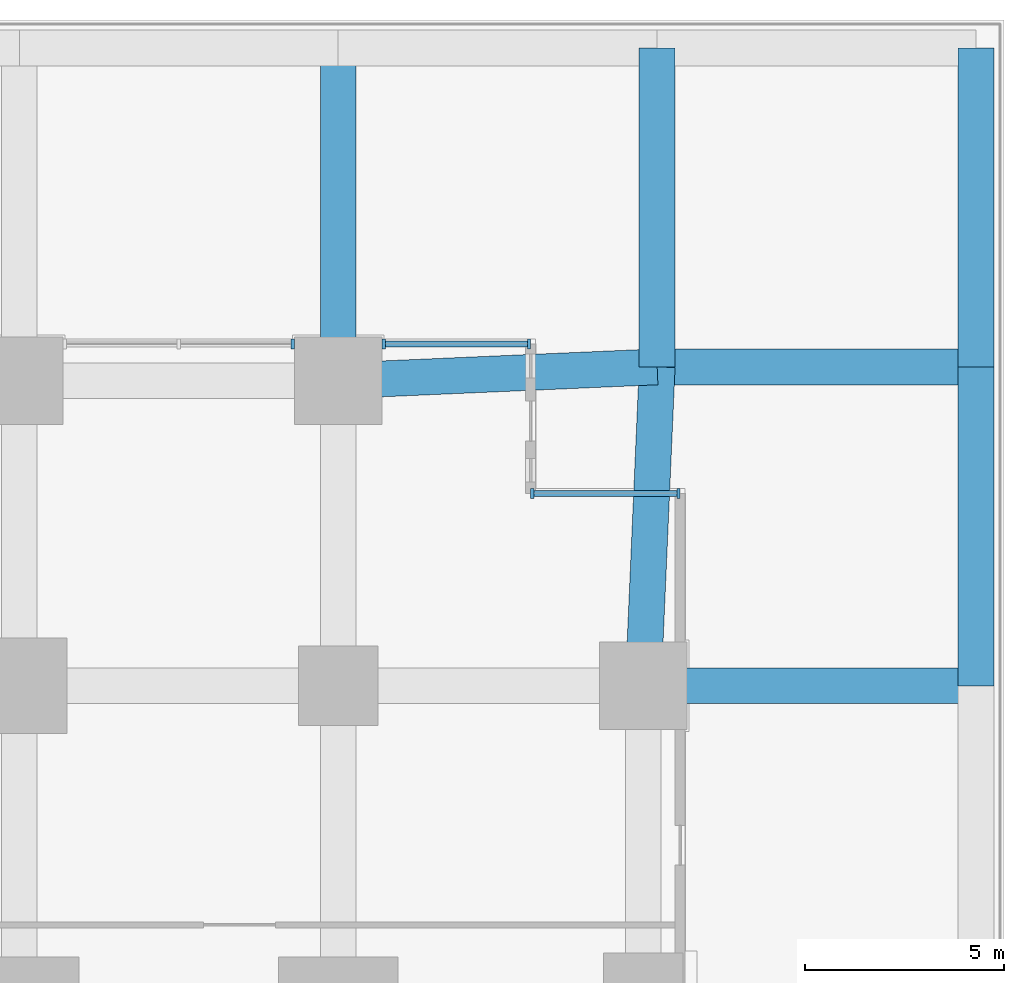
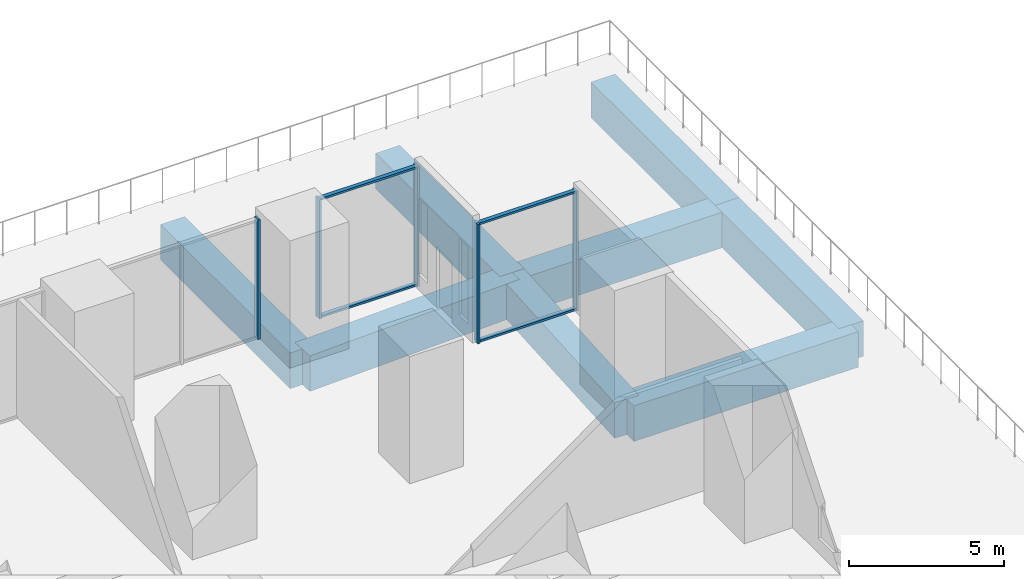
# One storey, part 5 of 16: 9 members, 8 beams, 3 elements without a shape of their own.
"""IFC4 building model written with IfcOpenShell, lengths in metres."""

from ifc_helpers import new_model, si_unit, direction, frame, origin, origin_2d, place, context, subcontext, project, spatial, rectangle, extrude, material, layer, layer_set, material_profile, profile_set, type_object, element, aggregate, save


model = new_model("IFC4")

# Units and contexts
model_context = context("Model", 3, precision=1e-05, world=origin(), true_north=direction((0.0, 1.0)))
body_context = subcontext(model_context, "Body", "Model", "MODEL_VIEW")
ifc_project = project(units=[si_unit("LENGTHUNIT", "METRE"), si_unit("AREAUNIT", "SQUARE_METRE"), si_unit("VOLUMEUNIT", "CUBIC_METRE"), si_unit("PLANEANGLEUNIT", "RADIAN"), si_unit("MASSUNIT", "GRAM", prefix="KILO")], contexts=[model_context])

# Site, building, storey
site_placement = place(None, origin())
site = spatial("IfcSite", under=ifc_project, at=site_placement, CompositionType="ELEMENT")
building_placement = place(site_placement, origin())
building = spatial("IfcBuilding", under=site, at=building_placement, Name="Cleftline Residences", CompositionType="ELEMENT")
storey_placement = place(building_placement, frame((0.0, 0.0, 16.0)))
storey = spatial("IfcBuildingStorey", under=building, at=storey_placement, Name="L03", CompositionType="ELEMENT", Elevation=16.0)

# Beams
ifc_material_1 = material(Name="Concrete B45", Category="concrete")
ifc_material_profile_1 = material_profile(ifc_material_1, rectangle(XDim=0.89990234375, YDim=1.39990234375, at=origin_2d()))
ifc_profile_set_1 = profile_set([ifc_material_profile_1], Name="Concrete B45")
beam_type = type_object("IfcBeamType", Name="BEAM RC900X1400", PredefinedType="BEAM", material=ifc_profile_set_1)
beam_1_placement = place(storey_placement, frame((65.64990234375, 40.0, -1.0), z_axis=(1.0, 0.0, 0.0), x_axis=(0.0, 1.0, 0.0)))
element("IfcBeam", 1, at=beam_1_placement, inside=storey, type_object=beam_type, Name="Podium beam", PredefinedType="BEAM", context=body_context, shape_type="SweptSolid", body=[
    extrude(rectangle(XDim=0.89990234375, YDim=1.39990234375, at=origin_2d()), origin(), (0.0, 0.0, 1.0), 8.35009765625),
])
beam_2_placement = place(storey_placement, frame((58.0, 47.64990234375, -1.0), z_axis=(0.999043807824, 0.043720361951, 0.0), x_axis=(-0.043720361951, 0.999043807824, 0.0)))
element("IfcBeam", 2, at=beam_2_placement, inside=storey, type_object=beam_type, Name="Podium beam", PredefinedType="BEAM", context=body_context, shape_type="SweptSolid", body=[
    extrude(rectangle(XDim=0.89990234375, YDim=1.39990234375, at=origin_2d()), origin(), (0.0, 0.0, 1.0), 8.007568359375),
])
beam_3_placement = place(storey_placement, frame((66.0, 48.0, -1.0), z_axis=(1.0, 0.0, 0.0), x_axis=(0.0, 1.0, 0.0)))
element("IfcBeam", 3, at=beam_3_placement, inside=storey, type_object=beam_type, Name="Podium beam", PredefinedType="BEAM", context=body_context, shape_type="SweptSolid", body=[
    extrude(rectangle(XDim=0.89990234375, YDim=1.39990234375, at=origin_2d()), origin(), (0.0, 0.0, 1.0), 8.0),
])
beam_4_placement = place(storey_placement, frame((58.0, 47.64990234375, -1.0), z_axis=(0.0, 1.0, 0.0), x_axis=(-1.0, 0.0, 0.0)))
element("IfcBeam", 4, at=beam_4_placement, inside=storey, type_object=beam_type, Name="Podium beam", PredefinedType="BEAM", context=body_context, shape_type="SweptSolid", body=[
    extrude(rectangle(XDim=0.89990234375, YDim=1.39990234375, at=origin_2d()), origin(), (0.0, 0.0, 1.0), 8.35009765625),
])
beam_5_placement = place(storey_placement, frame((65.64990234375, 40.0, -1.0), z_axis=(0.043720361951, 0.999043807824, 0.0), x_axis=(-0.999043807824, 0.043720361951, 0.0)))
element("IfcBeam", 5, at=beam_5_placement, inside=storey, type_object=beam_type, Name="Podium beam", PredefinedType="BEAM", context=body_context, shape_type="SweptSolid", body=[
    extrude(rectangle(XDim=0.89990234375, YDim=1.39990234375, at=origin_2d()), origin(), (0.0, 0.0, 1.0), 8.007568359375),
])
for number, where, z_axis, x_axis, name in (
    (6, (66.0, 48.0, -1.0), (0.0, 1.0, 0.0), (-1.0, 0.0, 0.0), "Podium beam"),
    (7, (74.0, 40.0, -1.0), (0.0, 1.0, 0.0), (-1.0, 0.0, 0.0), "Podium beam"),
    (8, (74.0, 48.0, -1.0), (0.0, 1.0, 0.0), (-1.0, 0.0, 0.0), "Podium beam"),
):
    element("IfcBeam", number, at=place(storey_placement, frame(where, z_axis=z_axis, x_axis=x_axis)), inside=storey, type_object=beam_type, Name=name, PredefinedType="BEAM", context=body_context, shape_type="SweptSolid", body=[
        extrude(rectangle(XDim=0.89990234375, YDim=1.39990234375, at=origin_2d()), origin(), (0.0, 0.0, 1.0), 8.0),
    ])

# Curtain wall, members
ifc_material_2 = material(Name="Aluminium framed curtain wall", Category="aluminium")
ifc_layer = layer(ifc_material_2, 0.199951171875)
ifc_layer_set = layer_set([ifc_layer], Name="CW2 PODIUM GLAZING")
curtain_wall_type = type_object("IfcCurtainWallType", Name="CW2 PODIUM GLAZING", PredefinedType="NOTDEFINED", material=ifc_layer_set)
curtain_wall_1_placement = place(storey_placement, origin())
curtain_wall_1 = element("IfcCurtainWall", 9, at=curtain_wall_1_placement, inside=storey, type_object=curtain_wall_type, Name="Curtain wall CW2", PredefinedType="NOTDEFINED")
ifc_material_3 = material(Name="Aluminium mullion", Category="aluminium")
ifc_material_profile_2 = material_profile(ifc_material_3, rectangle(XDim=0.25, YDim=0.080078125, at=origin_2d()))
ifc_profile_set_2 = profile_set([ifc_material_profile_2], Name="Aluminium mullion")
member_type_1 = type_object("IfcMemberType", Name="CW2 MULLION", PredefinedType="MULLION", material=ifc_profile_set_2)
member_1_placement = place(storey_placement, frame((66.534912109375, 44.824951171875, 0.0), z_axis=(0.0, 0.0, 1.0), x_axis=(0.0, -1.0, 0.0)))
member_1 = element("IfcMember", 10, at=member_1_placement, type_object=member_type_1, Name="CW2 mullion 1", PredefinedType="MULLION", context=body_context, shape_type="SweptSolid", body=[
    extrude(rectangle(XDim=0.25, YDim=0.080078125, at=origin_2d()), origin(), (0.0, 0.0, 1.0), 4.699951171875),
])
member_2_placement = place(storey_placement, frame((62.864990234375, 44.824951171875, 0.0), z_axis=(0.0, 0.0, 1.0), x_axis=(0.0, -1.0, 0.0)))
member_2 = element("IfcMember", 11, at=member_2_placement, type_object=member_type_1, Name="CW2 mullion 2", PredefinedType="MULLION", context=body_context, shape_type="SweptSolid", body=[
    extrude(rectangle(XDim=0.25, YDim=0.080078125, at=origin_2d()), origin(), (0.0, 0.0, 1.0), 4.699951171875),
])

curtain_wall_2_placement = place(storey_placement, origin())
curtain_wall_2 = element("IfcCurtainWall", 12, at=curtain_wall_2_placement, inside=storey, type_object=curtain_wall_type, Name="Curtain wall CW2", PredefinedType="NOTDEFINED")
member_3_placement = place(storey_placement, frame((62.784912109375, 48.574951171875, 0.0), z_axis=(0.0, 0.0, 1.0), x_axis=(0.0, -1.0, 0.0)))
member_3 = element("IfcMember", 13, at=member_3_placement, type_object=member_type_1, Name="CW2 mullion 1", PredefinedType="MULLION", context=body_context, shape_type="SweptSolid", body=[
    extrude(rectangle(XDim=0.25, YDim=0.080078125, at=origin_2d()), origin(), (0.0, 0.0, 1.0), 4.699951171875),
])
member_4_placement = place(storey_placement, frame((59.139892578125, 48.574951171875, 0.0), z_axis=(0.0, 0.0, 1.0), x_axis=(0.0, -1.0, 0.0)))
member_4 = element("IfcMember", 14, at=member_4_placement, type_object=member_type_1, Name="CW2 mullion 2", PredefinedType="MULLION", context=body_context, shape_type="SweptSolid", body=[
    extrude(rectangle(XDim=0.25, YDim=0.080078125, at=origin_2d()), origin(), (0.0, 0.0, 1.0), 4.699951171875),
])

# Curtain wall, member
curtain_wall_3_placement = place(storey_placement, origin())
curtain_wall_3 = element("IfcCurtainWall", 15, at=curtain_wall_3_placement, inside=storey, type_object=curtain_wall_type, Name="Curtain wall CW2", PredefinedType="NOTDEFINED")
member_5_placement = place(storey_placement, frame((56.860107421875, 48.574951171875, 0.0), z_axis=(0.0, 0.0, 1.0), x_axis=(0.0, -1.0, 0.0)))
member_5 = element("IfcMember", 16, at=member_5_placement, type_object=member_type_1, Name="CW2 mullion 1", PredefinedType="MULLION", context=body_context, shape_type="SweptSolid", body=[
    extrude(rectangle(XDim=0.25, YDim=0.080078125, at=origin_2d()), origin(), (0.0, 0.0, 1.0), 4.699951171875),
])
aggregate(curtain_wall_3, [member_5])

# Member
ifc_material_4 = material(Name="Aluminium transom", Category="aluminium")
ifc_material_profile_3 = material_profile(ifc_material_4, rectangle(XDim=0.14990234375, YDim=0.080078125, at=origin_2d()))
ifc_profile_set_3 = profile_set([ifc_material_profile_3], Name="Aluminium transom")
member_type_2 = type_object("IfcMemberType", Name="CW2 TRANSOM", PredefinedType="USERDEFINED", material=ifc_profile_set_3)
member_6_placement = place(storey_placement, frame((66.4951171875, 44.824951171875, 0.0400390625), z_axis=(-1.0, 0.0, 0.0), x_axis=(0.0, -1.0, 0.0)))
member_6 = element("IfcMember", 17, at=member_6_placement, type_object=member_type_2, Name="CW2 transom 1.1", ObjectType="TRANSOM", PredefinedType="USERDEFINED", context=body_context, shape_type="SweptSolid", body=[
    extrude(rectangle(XDim=0.14990234375, YDim=0.080078125, at=origin_2d()), origin(), (0.0, 0.0, 1.0), 3.590087890625),
])

member_7_placement = place(storey_placement, frame((66.4951171875, 44.824951171875, 4.659912109375), z_axis=(-1.0, 0.0, 0.0), x_axis=(0.0, -1.0, 0.0)))
member_7 = element("IfcMember", 18, at=member_7_placement, type_object=member_type_2, Name="CW2 transom 1.2", ObjectType="TRANSOM", PredefinedType="USERDEFINED", context=body_context, shape_type="SweptSolid", body=[
    extrude(rectangle(XDim=0.14990234375, YDim=0.080078125, at=origin_2d()), origin(), (0.0, 0.0, 1.0), 3.590087890625),
])

aggregate(curtain_wall_1, [member_1, member_2, member_6, member_7])

member_8_placement = place(storey_placement, frame((62.7451171875, 48.574951171875, 0.0400390625), z_axis=(-1.0, 0.0, 0.0), x_axis=(0.0, -1.0, 0.0)))
member_8 = element("IfcMember", 19, at=member_8_placement, type_object=member_type_2, Name="CW2 transom 1.1", ObjectType="TRANSOM", PredefinedType="USERDEFINED", context=body_context, shape_type="SweptSolid", body=[
    extrude(rectangle(XDim=0.14990234375, YDim=0.080078125, at=origin_2d()), origin(), (0.0, 0.0, 1.0), 3.565185546875),
])

member_9_placement = place(storey_placement, frame((62.7451171875, 48.574951171875, 4.659912109375), z_axis=(-1.0, 0.0, 0.0), x_axis=(0.0, -1.0, 0.0)))
member_9 = element("IfcMember", 20, at=member_9_placement, type_object=member_type_2, Name="CW2 transom 1.2", ObjectType="TRANSOM", PredefinedType="USERDEFINED", context=body_context, shape_type="SweptSolid", body=[
    extrude(rectangle(XDim=0.14990234375, YDim=0.080078125, at=origin_2d()), origin(), (0.0, 0.0, 1.0), 3.565185546875),
])

aggregate(curtain_wall_2, [member_3, member_4, member_8, member_9])

save(model, "model.ifc")
